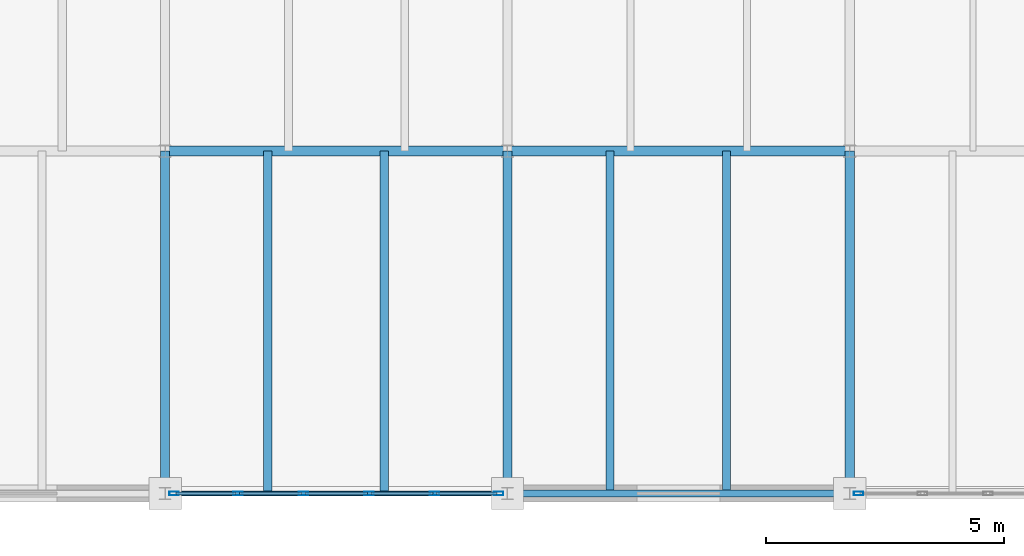
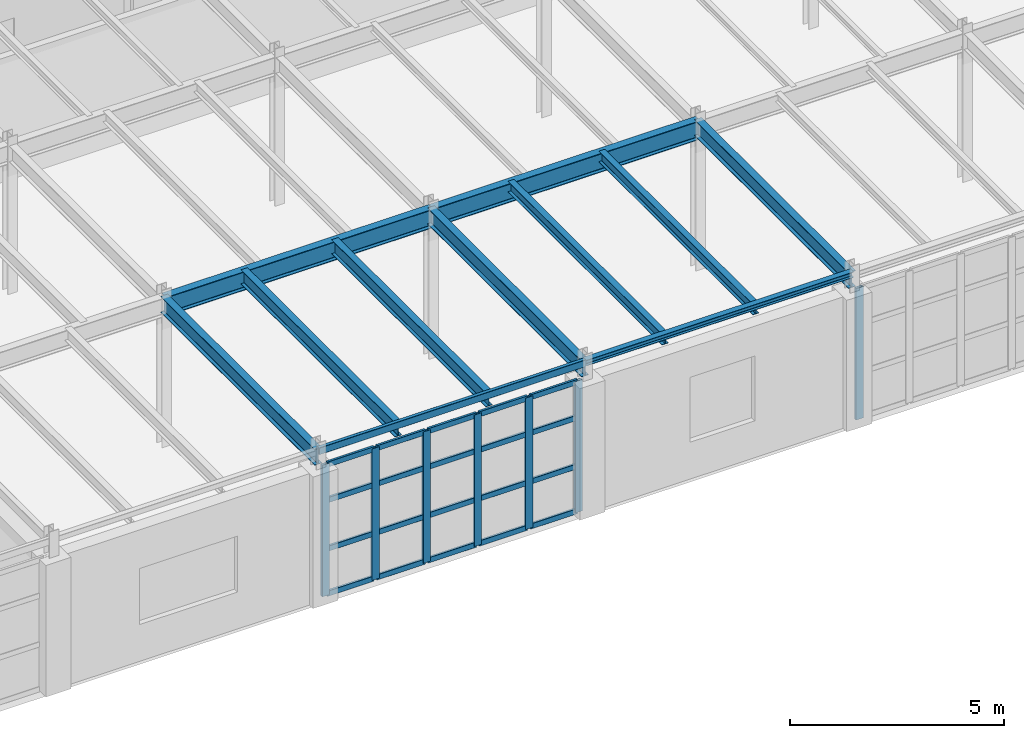
# One storey, part 40 of 137: 27 members, 11 beams, 2 elements without a shape of their own.
"""IFC4 building model written with IfcOpenShell, lengths in metres."""

from ifc_helpers import new_model, si_unit, direction, frame, origin, origin_2d, place, context, subcontext, project, spatial, hollow_rectangle, i_section, extrude, material, layer, layer_set, material_profile, profile_set, type_object, element, aggregate, save


model = new_model("IFC4")

# Units and contexts
model_context = context("Model", 3, precision=1e-05, world=origin(), true_north=direction((0.0, 1.0)))
body_context = subcontext(model_context, "Body", "Model", "MODEL_VIEW")
ifc_project = project(units=[si_unit("LENGTHUNIT", "METRE"), si_unit("AREAUNIT", "SQUARE_METRE"), si_unit("VOLUMEUNIT", "CUBIC_METRE"), si_unit("PLANEANGLEUNIT", "RADIAN"), si_unit("MASSUNIT", "GRAM", prefix="KILO")], contexts=[model_context])

# Site, building, storey
site_placement = place(None, origin())
site = spatial("IfcSite", under=ifc_project, at=site_placement, CompositionType="ELEMENT")
building_placement = place(site_placement, origin())
building = spatial("IfcBuilding", under=site, at=building_placement, Name="Kemerveld Promenade Tramway Depot", CompositionType="ELEMENT")
storey_placement = place(building_placement, frame((0.0, 0.0, 5.39990234375)))
storey = spatial("IfcBuildingStorey", under=building, at=storey_placement, Name="L01", CompositionType="ELEMENT", Elevation=5.39990234375)

# Beams
ifc_material_1 = material(Name="Steel S355", Category="steel")
ifc_material_profile_1 = material_profile(ifc_material_1, i_section(OverallWidth=0.2099609375, OverallDepth=0.53662109375, WebThickness=0.0107421875, FlangeThickness=0.017333984375, FilletRadius=0.0126953125, at=origin_2d()), Name="533x210x101 UB")
ifc_profile_set_1 = profile_set([ifc_material_profile_1], Name="Steel S355")
beam_type_1 = type_object("IfcBeamType", Name="BM-G05", PredefinedType="BEAM", material=ifc_profile_set_1)
for number, where, z_axis, x_axis, name in (
    (1, (64.800048828125, 7.199951171875, 3.981689453125), (1.0, 0.0, 0.0), (0.0, 1.0, 0.0), "BMX-L01-10-11-B"),
    (2, (72.0, 7.199951171875, 3.981689453125), (1.0, 0.0, 0.0), (0.0, 1.0, 0.0), "BMX-L01-11-12-B"),
):
    element("IfcBeam", number, at=place(storey_placement, frame(where, z_axis=z_axis, x_axis=x_axis)), inside=storey, type_object=beam_type_1, Name=name, PredefinedType="BEAM", context=body_context, shape_type="SweptSolid", body=[
        extrude(i_section(OverallWidth=0.2099609375, OverallDepth=0.53662109375, WebThickness=0.0107421875, FlangeThickness=0.017333984375, FilletRadius=0.0126953125, at=origin_2d()), origin(), (0.0, 0.0, 1.0), 7.199951171875),
    ])
ifc_material_profile_2 = material_profile(ifc_material_1, i_section(OverallWidth=0.19140625, OverallDepth=0.4599609375, WebThickness=0.010009765625, FlangeThickness=0.01611328125, FilletRadius=0.01025390625, at=origin_2d()), Name="457x191x82 UB")
ifc_profile_set_2 = profile_set([ifc_material_profile_2], Name="Steel S355")
beam_type_2 = type_object("IfcBeamType", Name="BM-G06", PredefinedType="BEAM", material=ifc_profile_set_2)
for number, where, z_axis, x_axis, name in (
    (3, (64.800048828125, 0.0, 4.02001953125), (0.0, 1.0, 0.0), (-1.0, 0.0, 0.0), "BMY-L01-10-A-B"),
    (4, (72.0, 0.0, 4.02001953125), (0.0, 1.0, 0.0), (-1.0, 0.0, 0.0), "BMY-L01-11-A-B"),
    (5, (79.199951171875, 0.0, 4.02001953125), (0.0, 1.0, 0.0), (-1.0, 0.0, 0.0), "BMY-L01-12-A-B"),
):
    element("IfcBeam", number, at=place(storey_placement, frame(where, z_axis=z_axis, x_axis=x_axis)), inside=storey, type_object=beam_type_2, Name=name, PredefinedType="BEAM", context=body_context, shape_type="SweptSolid", body=[
        extrude(i_section(OverallWidth=0.19140625, OverallDepth=0.4599609375, WebThickness=0.010009765625, FlangeThickness=0.01611328125, FilletRadius=0.01025390625, at=origin_2d()), origin(), (0.0, 0.0, 1.0), 7.199951171875),
    ])
ifc_material_profile_3 = material_profile(ifc_material_1, i_section(OverallWidth=0.165771484375, OverallDepth=0.306640625, WebThickness=0.006591796875, FlangeThickness=0.01171875, FilletRadius=0.0087890625, at=origin_2d()), Name="305x165x46 UB")
ifc_profile_set_3 = profile_set([ifc_material_profile_3], Name="Steel S355")
beam_type_3 = type_object("IfcBeamType", Name="BM-J01", PredefinedType="JOIST", material=ifc_profile_set_3)
for number, where, z_axis, x_axis, name in (
    (6, (74.159912109375, 0.0, 4.0966796875), (0.0, 1.0, 0.0), (-1.0, 0.0, 0.0), "JST-L01-11-A-1"),
    (7, (76.60791015625, 0.0, 4.0966796875), (0.0, 1.0, 0.0), (-1.0, 0.0, 0.0), "JST-L01-11-A-2"),
):
    element("IfcBeam", number, at=place(storey_placement, frame(where, z_axis=z_axis, x_axis=x_axis)), inside=storey, type_object=beam_type_3, Name=name, PredefinedType="JOIST", context=body_context, shape_type="SweptSolid", body=[
        extrude(i_section(OverallWidth=0.165771484375, OverallDepth=0.306640625, WebThickness=0.006591796875, FlangeThickness=0.01171875, FilletRadius=0.0087890625, at=origin_2d()), origin(), (0.0, 0.0, 1.0), 7.199951171875),
    ])
ifc_material_profile_4 = material_profile(ifc_material_1, i_section(OverallWidth=0.1787109375, OverallDepth=0.409423828125, WebThickness=0.0087890625, FlangeThickness=0.014404296875, FilletRadius=0.01025390625, at=origin_2d()), Name="406x178x67 UB")
ifc_profile_set_4 = profile_set([ifc_material_profile_4], Name="Steel S355")
beam_type_4 = type_object("IfcBeamType", Name="BM-J05", PredefinedType="JOIST", material=ifc_profile_set_4)
for number, where, z_axis, x_axis, name in (
    (8, (66.9599609375, 0.0, 4.04541015625), (0.0, 1.0, 0.0), (-1.0, 0.0, 0.0), "JST-L01-10-A-1"),
    (9, (69.407958984375, 0.0, 4.04541015625), (0.0, 1.0, 0.0), (-1.0, 0.0, 0.0), "JST-L01-10-A-2"),
):
    element("IfcBeam", number, at=place(storey_placement, frame(where, z_axis=z_axis, x_axis=x_axis)), inside=storey, type_object=beam_type_4, Name=name, PredefinedType="JOIST", context=body_context, shape_type="SweptSolid", body=[
        extrude(i_section(OverallWidth=0.1787109375, OverallDepth=0.409423828125, WebThickness=0.0087890625, FlangeThickness=0.014404296875, FilletRadius=0.01025390625, at=origin_2d()), origin(), (0.0, 0.0, 1.0), 7.199951171875),
    ])
ifc_material_profile_5 = material_profile(ifc_material_1, hollow_rectangle(XDim=0.10009765625, YDim=0.199951171875, WallThickness=0.008056640625, InnerFilletRadius=0.00390625, OuterFilletRadius=0.011962890625, at=origin_2d()), Name="200x100x8.0 RHS")
ifc_profile_set_5 = profile_set([ifc_material_profile_5], Name="Steel S355")
beam_type_5 = type_object("IfcBeamType", Name="BM-LN1", PredefinedType="LINTEL", material=ifc_profile_set_5)
beam_1_placement = place(storey_placement, frame((64.800048828125, 0.0, 4.18505859375), z_axis=(1.0, 0.0, 0.0), x_axis=(0.0, 1.0, 0.0)))
element("IfcBeam", 10, at=beam_1_placement, inside=storey, type_object=beam_type_5, Name="BMX-L01-10-11-A", PredefinedType="LINTEL", context=body_context, shape_type="SweptSolid", body=[
    extrude(hollow_rectangle(XDim=0.10009765625, YDim=0.199951171875, WallThickness=0.008056640625, InnerFilletRadius=0.00390625, OuterFilletRadius=0.011962890625, at=origin_2d()), origin(), (0.0, 0.0, 1.0), 7.199951171875),
])
ifc_material_profile_6 = material_profile(ifc_material_1, i_section(OverallWidth=0.154296875, OverallDepth=0.161865234375, WebThickness=0.008056640625, FlangeThickness=0.011474609375, FilletRadius=0.007568359375, at=origin_2d()), Name="152x152x37 UC")
ifc_profile_set_6 = profile_set([ifc_material_profile_6], Name="Steel S355")
beam_type_6 = type_object("IfcBeamType", Name="BM-LN2", PredefinedType="LINTEL", material=ifc_profile_set_6)
beam_2_placement = place(storey_placement, frame((72.0, 0.0, 4.2041015625), z_axis=(1.0, 0.0, 0.0), x_axis=(0.0, 1.0, 0.0)))
element("IfcBeam", 11, at=beam_2_placement, inside=storey, type_object=beam_type_6, Name="BMX-L01-11-12-A", PredefinedType="LINTEL", context=body_context, shape_type="SweptSolid", body=[
    extrude(i_section(OverallWidth=0.154296875, OverallDepth=0.161865234375, WebThickness=0.008056640625, FlangeThickness=0.011474609375, FilletRadius=0.007568359375, at=origin_2d()), origin(), (0.0, 0.0, 1.0), 7.199951171875),
])

# Curtain wall, member
ifc_material_2 = material(Name="Bronze anodised aluminium and solar glass", Category="aluminium")
ifc_layer_1 = layer(ifc_material_2, 0.199951171875)
ifc_layer_set_1 = layer_set([ifc_layer_1], Name="CW-SYS-14")
curtain_wall_type_1 = type_object("IfcCurtainWallType", Name="CW-SYS-14", PredefinedType="USERDEFINED", material=ifc_layer_set_1)
curtain_wall_1_placement = place(storey_placement, origin())
curtain_wall_1 = element("IfcCurtainWall", 12, at=curtain_wall_1_placement, inside=storey, type_object=curtain_wall_type_1, Name="CW-L01-V4S-11", ObjectType="GLAZED_CURTAIN_WALL", PredefinedType="USERDEFINED")
ifc_material_3 = material(Name="Bronze anodised aluminium", Category="aluminium")
ifc_material_profile_7 = material_profile(ifc_material_3, hollow_rectangle(XDim=0.074951171875, YDim=0.199951171875, WallThickness=0.0048828125, InnerFilletRadius=0.001953125, OuterFilletRadius=0.0048828125, at=origin_2d()), Name="CW-MUL-200x75")
ifc_profile_set_7 = profile_set([ifc_material_profile_7], Name="Bronze anodised aluminium")
member_type_1 = type_object("IfcMemberType", Name="CW-MUL-B", PredefinedType="MULLION", material=ifc_profile_set_7)
member_1_placement = place(storey_placement, frame((79.3876953125, 0.0, 0.0), z_axis=(0.0, 0.0, 1.0), x_axis=(0.0, -1.0, 0.0)))
member_1 = element("IfcMember", 13, at=member_1_placement, type_object=member_type_1, Name="CW14 mullion 6", PredefinedType="MULLION", context=body_context, shape_type="SweptSolid", body=[
    extrude(hollow_rectangle(XDim=0.074951171875, YDim=0.199951171875, WallThickness=0.0048828125, InnerFilletRadius=0.001953125, OuterFilletRadius=0.0048828125, at=origin_2d()), origin(), (0.0, 0.0, 1.0), 3.75),
])
aggregate(curtain_wall_1, [member_1])

# Curtain wall, members
ifc_layer_2 = layer(ifc_material_2, 0.199951171875)
ifc_layer_set_2 = layer_set([ifc_layer_2], Name="CW-SYS-02")
curtain_wall_type_2 = type_object("IfcCurtainWallType", Name="CW-SYS-02", PredefinedType="USERDEFINED", material=ifc_layer_set_2)
curtain_wall_2_placement = place(storey_placement, origin())
curtain_wall_2 = element("IfcCurtainWall", 14, at=curtain_wall_2_placement, inside=storey, type_object=curtain_wall_type_2, Name="CW-L01-V4S-13", ObjectType="GLAZED_CURTAIN_WALL", PredefinedType="USERDEFINED")
member_2_placement = place(storey_placement, frame((71.8125, 0.0, 0.0), z_axis=(0.0, 0.0, 1.0), x_axis=(0.0, -1.0, 0.0)))
member_2 = element("IfcMember", 15, at=member_2_placement, type_object=member_type_1, Name="CW02 mullion 1", PredefinedType="MULLION", context=body_context, shape_type="SweptSolid", body=[
    extrude(hollow_rectangle(XDim=0.074951171875, YDim=0.199951171875, WallThickness=0.0048828125, InnerFilletRadius=0.001953125, OuterFilletRadius=0.0048828125, at=origin_2d()), origin(), (0.0, 0.0, 1.0), 3.75),
])
member_3_placement = place(storey_placement, frame((70.469970703125, 0.0, 0.0), z_axis=(0.0, 0.0, 1.0), x_axis=(0.0, -1.0, 0.0)))
member_3 = element("IfcMember", 16, at=member_3_placement, type_object=member_type_1, Name="CW02 mullion 2", PredefinedType="MULLION", context=body_context, shape_type="SweptSolid", body=[
    extrude(hollow_rectangle(XDim=0.074951171875, YDim=0.199951171875, WallThickness=0.0048828125, InnerFilletRadius=0.001953125, OuterFilletRadius=0.0048828125, at=origin_2d()), origin(), (0.0, 0.0, 1.0), 3.75),
])
member_4_placement = place(storey_placement, frame((69.090087890625, 0.0, 0.0), z_axis=(0.0, 0.0, 1.0), x_axis=(0.0, -1.0, 0.0)))
member_4 = element("IfcMember", 17, at=member_4_placement, type_object=member_type_1, Name="CW02 mullion 3", PredefinedType="MULLION", context=body_context, shape_type="SweptSolid", body=[
    extrude(hollow_rectangle(XDim=0.074951171875, YDim=0.199951171875, WallThickness=0.0048828125, InnerFilletRadius=0.001953125, OuterFilletRadius=0.0048828125, at=origin_2d()), origin(), (0.0, 0.0, 1.0), 3.75),
])
member_5_placement = place(storey_placement, frame((67.7099609375, 0.0, 0.0), z_axis=(0.0, 0.0, 1.0), x_axis=(0.0, -1.0, 0.0)))
member_5 = element("IfcMember", 18, at=member_5_placement, type_object=member_type_1, Name="CW02 mullion 4", PredefinedType="MULLION", context=body_context, shape_type="SweptSolid", body=[
    extrude(hollow_rectangle(XDim=0.074951171875, YDim=0.199951171875, WallThickness=0.0048828125, InnerFilletRadius=0.001953125, OuterFilletRadius=0.0048828125, at=origin_2d()), origin(), (0.0, 0.0, 1.0), 3.75),
])
member_6_placement = place(storey_placement, frame((66.330078125, 0.0, 0.0), z_axis=(0.0, 0.0, 1.0), x_axis=(0.0, -1.0, 0.0)))
member_6 = element("IfcMember", 19, at=member_6_placement, type_object=member_type_1, Name="CW02 mullion 5", PredefinedType="MULLION", context=body_context, shape_type="SweptSolid", body=[
    extrude(hollow_rectangle(XDim=0.074951171875, YDim=0.199951171875, WallThickness=0.0048828125, InnerFilletRadius=0.001953125, OuterFilletRadius=0.0048828125, at=origin_2d()), origin(), (0.0, 0.0, 1.0), 3.75),
])
member_7_placement = place(storey_placement, frame((64.987548828125, 0.0, 0.0), z_axis=(0.0, 0.0, 1.0), x_axis=(0.0, -1.0, 0.0)))
member_7 = element("IfcMember", 20, at=member_7_placement, type_object=member_type_1, Name="CW02 mullion 6", PredefinedType="MULLION", context=body_context, shape_type="SweptSolid", body=[
    extrude(hollow_rectangle(XDim=0.074951171875, YDim=0.199951171875, WallThickness=0.0048828125, InnerFilletRadius=0.001953125, OuterFilletRadius=0.0048828125, at=origin_2d()), origin(), (0.0, 0.0, 1.0), 3.75),
])
ifc_material_profile_8 = material_profile(ifc_material_3, hollow_rectangle(XDim=0.06494140625, YDim=0.14990234375, WallThickness=0.00439453125, InnerFilletRadius=0.001953125, OuterFilletRadius=0.00439453125, at=origin_2d()), Name="CW-TRN-150x65")
ifc_profile_set_8 = profile_set([ifc_material_profile_8], Name="Bronze anodised aluminium")
member_type_2 = type_object("IfcMemberType", Name="CW-TRN-B", PredefinedType="USERDEFINED", material=ifc_profile_set_8)
member_8_placement = place(storey_placement, frame((71.77490234375, 0.0, 0.03271484375), z_axis=(-1.0, 0.0, 0.0), x_axis=(0.0, -1.0, 0.0)))
member_8 = element("IfcMember", 21, at=member_8_placement, type_object=member_type_2, Name="CW02 transom 1.1", ObjectType="TRANSOM", PredefinedType="USERDEFINED", context=body_context, shape_type="SweptSolid", body=[
    extrude(hollow_rectangle(XDim=0.06494140625, YDim=0.14990234375, WallThickness=0.00439453125, InnerFilletRadius=0.001953125, OuterFilletRadius=0.00439453125, at=origin_2d()), origin(), (0.0, 0.0, 1.0), 1.267578125),
])
member_9_placement = place(storey_placement, frame((71.77490234375, 0.0, 1.31298828125), z_axis=(-1.0, 0.0, 0.0), x_axis=(0.0, -1.0, 0.0)))
member_9 = element("IfcMember", 22, at=member_9_placement, type_object=member_type_2, Name="CW02 transom 1.2", ObjectType="TRANSOM", PredefinedType="USERDEFINED", context=body_context, shape_type="SweptSolid", body=[
    extrude(hollow_rectangle(XDim=0.06494140625, YDim=0.14990234375, WallThickness=0.00439453125, InnerFilletRadius=0.001953125, OuterFilletRadius=0.00439453125, at=origin_2d()), origin(), (0.0, 0.0, 1.0), 1.267578125),
])
member_10_placement = place(storey_placement, frame((71.77490234375, 0.0, 2.7001953125), z_axis=(-1.0, 0.0, 0.0), x_axis=(0.0, -1.0, 0.0)))
member_10 = element("IfcMember", 23, at=member_10_placement, type_object=member_type_2, Name="CW02 transom 1.3", ObjectType="TRANSOM", PredefinedType="USERDEFINED", context=body_context, shape_type="SweptSolid", body=[
    extrude(hollow_rectangle(XDim=0.06494140625, YDim=0.14990234375, WallThickness=0.00439453125, InnerFilletRadius=0.001953125, OuterFilletRadius=0.00439453125, at=origin_2d()), origin(), (0.0, 0.0, 1.0), 1.267578125),
])
member_11_placement = place(storey_placement, frame((71.77490234375, 0.0, 3.717529296875), z_axis=(-1.0, 0.0, 0.0), x_axis=(0.0, -1.0, 0.0)))
member_11 = element("IfcMember", 24, at=member_11_placement, type_object=member_type_2, Name="CW02 transom 1.4", ObjectType="TRANSOM", PredefinedType="USERDEFINED", context=body_context, shape_type="SweptSolid", body=[
    extrude(hollow_rectangle(XDim=0.06494140625, YDim=0.14990234375, WallThickness=0.00439453125, InnerFilletRadius=0.001953125, OuterFilletRadius=0.00439453125, at=origin_2d()), origin(), (0.0, 0.0, 1.0), 1.267578125),
])
member_12_placement = place(storey_placement, frame((70.432373046875, 0.0, 0.03271484375), z_axis=(-1.0, 0.0, 0.0), x_axis=(0.0, -1.0, 0.0)))
member_12 = element("IfcMember", 25, at=member_12_placement, type_object=member_type_2, Name="CW02 transom 2.1", ObjectType="TRANSOM", PredefinedType="USERDEFINED", context=body_context, shape_type="SweptSolid", body=[
    extrude(hollow_rectangle(XDim=0.06494140625, YDim=0.14990234375, WallThickness=0.00439453125, InnerFilletRadius=0.001953125, OuterFilletRadius=0.00439453125, at=origin_2d()), origin(), (0.0, 0.0, 1.0), 1.304931640625),
])
member_13_placement = place(storey_placement, frame((70.432373046875, 0.0, 1.31298828125), z_axis=(-1.0, 0.0, 0.0), x_axis=(0.0, -1.0, 0.0)))
member_13 = element("IfcMember", 26, at=member_13_placement, type_object=member_type_2, Name="CW02 transom 2.2", ObjectType="TRANSOM", PredefinedType="USERDEFINED", context=body_context, shape_type="SweptSolid", body=[
    extrude(hollow_rectangle(XDim=0.06494140625, YDim=0.14990234375, WallThickness=0.00439453125, InnerFilletRadius=0.001953125, OuterFilletRadius=0.00439453125, at=origin_2d()), origin(), (0.0, 0.0, 1.0), 1.304931640625),
])
member_14_placement = place(storey_placement, frame((70.432373046875, 0.0, 2.7001953125), z_axis=(-1.0, 0.0, 0.0), x_axis=(0.0, -1.0, 0.0)))
member_14 = element("IfcMember", 27, at=member_14_placement, type_object=member_type_2, Name="CW02 transom 2.3", ObjectType="TRANSOM", PredefinedType="USERDEFINED", context=body_context, shape_type="SweptSolid", body=[
    extrude(hollow_rectangle(XDim=0.06494140625, YDim=0.14990234375, WallThickness=0.00439453125, InnerFilletRadius=0.001953125, OuterFilletRadius=0.00439453125, at=origin_2d()), origin(), (0.0, 0.0, 1.0), 1.304931640625),
])
member_15_placement = place(storey_placement, frame((70.432373046875, 0.0, 3.717529296875), z_axis=(-1.0, 0.0, 0.0), x_axis=(0.0, -1.0, 0.0)))
member_15 = element("IfcMember", 28, at=member_15_placement, type_object=member_type_2, Name="CW02 transom 2.4", ObjectType="TRANSOM", PredefinedType="USERDEFINED", context=body_context, shape_type="SweptSolid", body=[
    extrude(hollow_rectangle(XDim=0.06494140625, YDim=0.14990234375, WallThickness=0.00439453125, InnerFilletRadius=0.001953125, OuterFilletRadius=0.00439453125, at=origin_2d()), origin(), (0.0, 0.0, 1.0), 1.304931640625),
])
member_16_placement = place(storey_placement, frame((69.052490234375, 0.0, 0.03271484375), z_axis=(-1.0, 0.0, 0.0), x_axis=(0.0, -1.0, 0.0)))
member_16 = element("IfcMember", 29, at=member_16_placement, type_object=member_type_2, Name="CW02 transom 3.1", ObjectType="TRANSOM", PredefinedType="USERDEFINED", context=body_context, shape_type="SweptSolid", body=[
    extrude(hollow_rectangle(XDim=0.06494140625, YDim=0.14990234375, WallThickness=0.00439453125, InnerFilletRadius=0.001953125, OuterFilletRadius=0.00439453125, at=origin_2d()), origin(), (0.0, 0.0, 1.0), 1.304931640625),
])
member_17_placement = place(storey_placement, frame((69.052490234375, 0.0, 1.31298828125), z_axis=(-1.0, 0.0, 0.0), x_axis=(0.0, -1.0, 0.0)))
member_17 = element("IfcMember", 30, at=member_17_placement, type_object=member_type_2, Name="CW02 transom 3.2", ObjectType="TRANSOM", PredefinedType="USERDEFINED", context=body_context, shape_type="SweptSolid", body=[
    extrude(hollow_rectangle(XDim=0.06494140625, YDim=0.14990234375, WallThickness=0.00439453125, InnerFilletRadius=0.001953125, OuterFilletRadius=0.00439453125, at=origin_2d()), origin(), (0.0, 0.0, 1.0), 1.304931640625),
])
member_18_placement = place(storey_placement, frame((69.052490234375, 0.0, 2.7001953125), z_axis=(-1.0, 0.0, 0.0), x_axis=(0.0, -1.0, 0.0)))
member_18 = element("IfcMember", 31, at=member_18_placement, type_object=member_type_2, Name="CW02 transom 3.3", ObjectType="TRANSOM", PredefinedType="USERDEFINED", context=body_context, shape_type="SweptSolid", body=[
    extrude(hollow_rectangle(XDim=0.06494140625, YDim=0.14990234375, WallThickness=0.00439453125, InnerFilletRadius=0.001953125, OuterFilletRadius=0.00439453125, at=origin_2d()), origin(), (0.0, 0.0, 1.0), 1.304931640625),
])
member_19_placement = place(storey_placement, frame((69.052490234375, 0.0, 3.717529296875), z_axis=(-1.0, 0.0, 0.0), x_axis=(0.0, -1.0, 0.0)))
member_19 = element("IfcMember", 32, at=member_19_placement, type_object=member_type_2, Name="CW02 transom 3.4", ObjectType="TRANSOM", PredefinedType="USERDEFINED", context=body_context, shape_type="SweptSolid", body=[
    extrude(hollow_rectangle(XDim=0.06494140625, YDim=0.14990234375, WallThickness=0.00439453125, InnerFilletRadius=0.001953125, OuterFilletRadius=0.00439453125, at=origin_2d()), origin(), (0.0, 0.0, 1.0), 1.304931640625),
])
member_20_placement = place(storey_placement, frame((67.672607421875, 0.0, 0.03271484375), z_axis=(-1.0, 0.0, 0.0), x_axis=(0.0, -1.0, 0.0)))
member_20 = element("IfcMember", 33, at=member_20_placement, type_object=member_type_2, Name="CW02 transom 4.1", ObjectType="TRANSOM", PredefinedType="USERDEFINED", context=body_context, shape_type="SweptSolid", body=[
    extrude(hollow_rectangle(XDim=0.06494140625, YDim=0.14990234375, WallThickness=0.00439453125, InnerFilletRadius=0.001953125, OuterFilletRadius=0.00439453125, at=origin_2d()), origin(), (0.0, 0.0, 1.0), 1.304931640625),
])
member_21_placement = place(storey_placement, frame((67.672607421875, 0.0, 1.31298828125), z_axis=(-1.0, 0.0, 0.0), x_axis=(0.0, -1.0, 0.0)))
member_21 = element("IfcMember", 34, at=member_21_placement, type_object=member_type_2, Name="CW02 transom 4.2", ObjectType="TRANSOM", PredefinedType="USERDEFINED", context=body_context, shape_type="SweptSolid", body=[
    extrude(hollow_rectangle(XDim=0.06494140625, YDim=0.14990234375, WallThickness=0.00439453125, InnerFilletRadius=0.001953125, OuterFilletRadius=0.00439453125, at=origin_2d()), origin(), (0.0, 0.0, 1.0), 1.304931640625),
])
member_22_placement = place(storey_placement, frame((67.672607421875, 0.0, 2.7001953125), z_axis=(-1.0, 0.0, 0.0), x_axis=(0.0, -1.0, 0.0)))
member_22 = element("IfcMember", 35, at=member_22_placement, type_object=member_type_2, Name="CW02 transom 4.3", ObjectType="TRANSOM", PredefinedType="USERDEFINED", context=body_context, shape_type="SweptSolid", body=[
    extrude(hollow_rectangle(XDim=0.06494140625, YDim=0.14990234375, WallThickness=0.00439453125, InnerFilletRadius=0.001953125, OuterFilletRadius=0.00439453125, at=origin_2d()), origin(), (0.0, 0.0, 1.0), 1.304931640625),
])
member_23_placement = place(storey_placement, frame((67.672607421875, 0.0, 3.717529296875), z_axis=(-1.0, 0.0, 0.0), x_axis=(0.0, -1.0, 0.0)))
member_23 = element("IfcMember", 36, at=member_23_placement, type_object=member_type_2, Name="CW02 transom 4.4", ObjectType="TRANSOM", PredefinedType="USERDEFINED", context=body_context, shape_type="SweptSolid", body=[
    extrude(hollow_rectangle(XDim=0.06494140625, YDim=0.14990234375, WallThickness=0.00439453125, InnerFilletRadius=0.001953125, OuterFilletRadius=0.00439453125, at=origin_2d()), origin(), (0.0, 0.0, 1.0), 1.304931640625),
])
member_24_placement = place(storey_placement, frame((66.29248046875, 0.0, 0.03271484375), z_axis=(-1.0, 0.0, 0.0), x_axis=(0.0, -1.0, 0.0)))
member_24 = element("IfcMember", 37, at=member_24_placement, type_object=member_type_2, Name="CW02 transom 5.1", ObjectType="TRANSOM", PredefinedType="USERDEFINED", context=body_context, shape_type="SweptSolid", body=[
    extrude(hollow_rectangle(XDim=0.06494140625, YDim=0.14990234375, WallThickness=0.00439453125, InnerFilletRadius=0.001953125, OuterFilletRadius=0.00439453125, at=origin_2d()), origin(), (0.0, 0.0, 1.0), 1.267333984375),
])
member_25_placement = place(storey_placement, frame((66.29248046875, 0.0, 1.31298828125), z_axis=(-1.0, 0.0, 0.0), x_axis=(0.0, -1.0, 0.0)))
member_25 = element("IfcMember", 38, at=member_25_placement, type_object=member_type_2, Name="CW02 transom 5.2", ObjectType="TRANSOM", PredefinedType="USERDEFINED", context=body_context, shape_type="SweptSolid", body=[
    extrude(hollow_rectangle(XDim=0.06494140625, YDim=0.14990234375, WallThickness=0.00439453125, InnerFilletRadius=0.001953125, OuterFilletRadius=0.00439453125, at=origin_2d()), origin(), (0.0, 0.0, 1.0), 1.267333984375),
])
member_26_placement = place(storey_placement, frame((66.29248046875, 0.0, 2.7001953125), z_axis=(-1.0, 0.0, 0.0), x_axis=(0.0, -1.0, 0.0)))
member_26 = element("IfcMember", 39, at=member_26_placement, type_object=member_type_2, Name="CW02 transom 5.3", ObjectType="TRANSOM", PredefinedType="USERDEFINED", context=body_context, shape_type="SweptSolid", body=[
    extrude(hollow_rectangle(XDim=0.06494140625, YDim=0.14990234375, WallThickness=0.00439453125, InnerFilletRadius=0.001953125, OuterFilletRadius=0.00439453125, at=origin_2d()), origin(), (0.0, 0.0, 1.0), 1.267333984375),
])
member_27_placement = place(storey_placement, frame((66.29248046875, 0.0, 3.717529296875), z_axis=(-1.0, 0.0, 0.0), x_axis=(0.0, -1.0, 0.0)))
member_27 = element("IfcMember", 40, at=member_27_placement, type_object=member_type_2, Name="CW02 transom 5.4", ObjectType="TRANSOM", PredefinedType="USERDEFINED", context=body_context, shape_type="SweptSolid", body=[
    extrude(hollow_rectangle(XDim=0.06494140625, YDim=0.14990234375, WallThickness=0.00439453125, InnerFilletRadius=0.001953125, OuterFilletRadius=0.00439453125, at=origin_2d()), origin(), (0.0, 0.0, 1.0), 1.267333984375),
])
aggregate(curtain_wall_2, [member_2, member_3, member_4, member_5, member_6, member_7, member_8, member_9, member_10, member_11, member_12, member_13, member_14, member_15, member_16, member_17, member_18, member_19, member_20, member_21, member_22, member_23, member_24, member_25, member_26, member_27])

save(model, "model.ifc")
